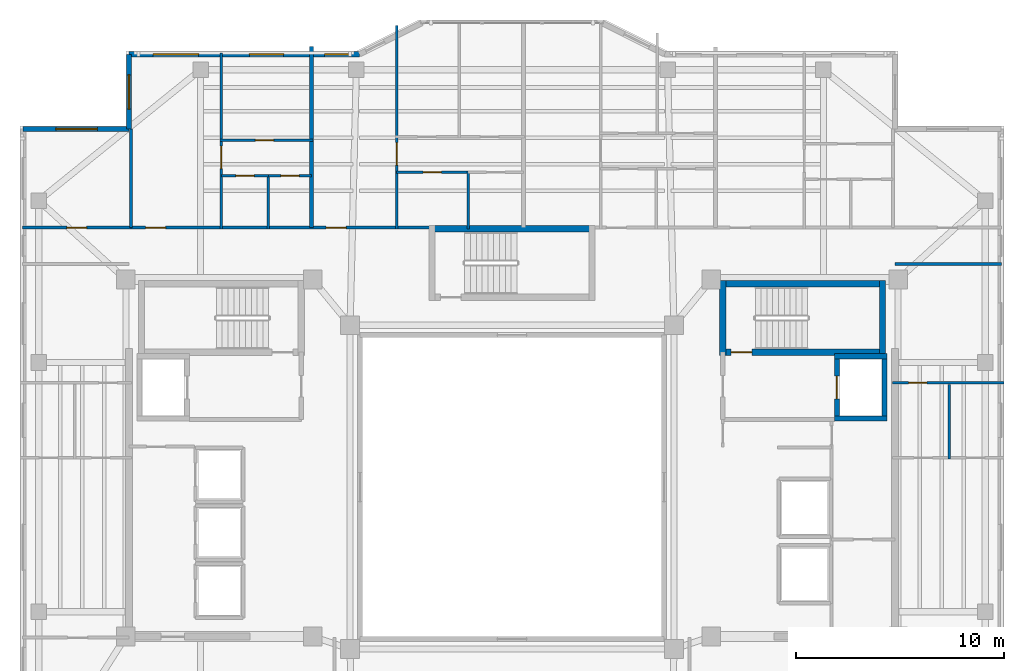
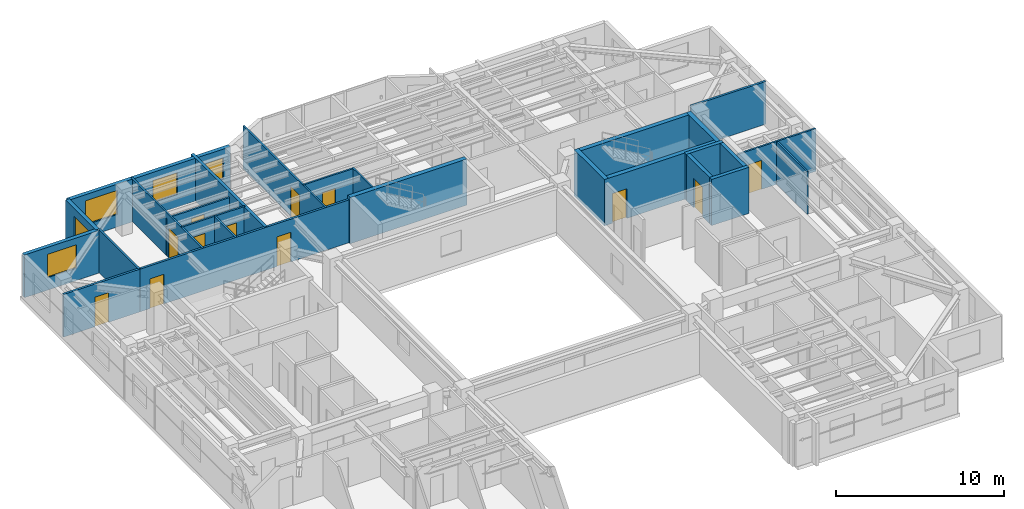
# One storey, part 7 of 12: 27 walls, 12 doors, 5 windows, 17 openings.
"""IFC4 building model written with IfcOpenShell, lengths in metres."""

import ifcopenshell
import ifcopenshell.guid

model = None  # the IFC model being written
_history = None  # IfcOwnerHistory: only IFC2X3 demands one
_inside = {}  # id of a spatial element -> (the spatial element, [elements in it])
_under = {}  # id of a project, library or spatial element -> (it, [spatial elements below it])
_declared = {}  # id of a project -> (the project, [libraries it declares])
_typed = {}  # id of a type object -> (the type object, [elements of that type])
_made_of = {}  # id of a material, layer set ... -> (it, [elements and type objects made of it])


def new_model(schema):
    """Start an empty IFC model of exactly this schema.

    Asked for "IFC4X3", IfcOpenShell would pick the latest addendum, in which some entities
    have other attributes; the version numbers below select the first issue.
    IFC2X3 requires an IfcOwnerHistory on every rooted entity: one is made here for all.
    """
    global model, _history
    if schema == "IFC4X3":
        model = ifcopenshell.file(schema_version=(4, 3, 0, 0))
    else:
        model = ifcopenshell.file(schema=schema)
    _inside.clear()
    _under.clear()
    _declared.clear()
    _typed.clear()
    _made_of.clear()
    _history = None
    if model.schema == "IFC2X3":
        org = make("IfcOrganization", Name="unknown")
        user = make(
            "IfcPersonAndOrganization",
            ThePerson=make("IfcPerson", FamilyName="unknown"),
            TheOrganization=org,
        )
        app = make(
            "IfcApplication",
            ApplicationDeveloper=org,
            Version="unknown",
            ApplicationFullName="unknown",
            ApplicationIdentifier="unknown",
        )
        _history = make(
            "IfcOwnerHistory",
            OwningUser=user,
            OwningApplication=app,
            ChangeAction="ADDED",
            CreationDate=0,
        )
    return model


def make(cls, **values):
    """One entity of the class cls with the attributes given. An attribute that is None is left unset."""
    return model.create_entity(
        cls, **{name: value for name, value in values.items() if value is not None}
    )


def rooted(cls, **values):
    """An entity with a GlobalId (a new one), such as an element, a storey or a relation."""
    return make(cls, GlobalId=ifcopenshell.guid.new(), OwnerHistory=_history, **values)


def si_unit(unit_type, name, prefix=None):
    """IfcSIUnit, for example si_unit("LENGTHUNIT", "METRE", prefix="MILLI")."""
    return make("IfcSIUnit", UnitType=unit_type, Prefix=prefix, Name=name)


def assignment(units):
    """IfcUnitAssignment: the units of a project."""
    return None if units is None else make("IfcUnitAssignment", Units=units)


def point(xyz):
    """IfcCartesianPoint."""
    return None if xyz is None else make("IfcCartesianPoint", Coordinates=xyz)


def direction(xyz):
    """IfcDirection."""
    return None if xyz is None else make("IfcDirection", DirectionRatios=xyz)


def frame(location, z_axis=None, x_axis=None):
    """IfcAxis2Placement3D, a coordinate frame: its origin and axes. An axis left out is left unset."""
    return make(
        "IfcAxis2Placement3D",
        Location=point(location),
        Axis=direction(z_axis),
        RefDirection=direction(x_axis),
    )


def frame_2d(location, x_axis=None):
    """IfcAxis2Placement2D, a coordinate frame in the plane: its origin and x axis."""
    return make(
        "IfcAxis2Placement2D", Location=point(location), RefDirection=direction(x_axis)
    )


def origin():
    """The frame at (0, 0, 0) with its axes left unset."""
    return frame((0.0, 0.0, 0.0))


def place(relative_to, where):
    """IfcLocalPlacement: puts the frame where relative to a parent placement (None: the world)."""
    return make(
        "IfcLocalPlacement", PlacementRelTo=relative_to, RelativePlacement=where
    )


def context(
    kind, dimensions, precision=None, world=None, true_north=None, identifier=None
):
    """IfcGeometricRepresentationContext, for example the 3D "Model" context."""
    return make(
        "IfcGeometricRepresentationContext",
        ContextIdentifier=identifier,
        ContextType=kind,
        CoordinateSpaceDimension=dimensions,
        Precision=precision,
        WorldCoordinateSystem=world,
        TrueNorth=true_north,
    )


def subcontext(parent, identifier, kind, view, scale=None):
    """IfcGeometricRepresentationSubContext, for example "Body" below "Model"."""
    return make(
        "IfcGeometricRepresentationSubContext",
        ContextIdentifier=identifier,
        ContextType=kind,
        ParentContext=parent,
        TargetScale=scale,
        TargetView=view,
    )


def project(units=None, contexts=None):
    """IfcProject with its units and contexts."""
    return rooted(
        "IfcProject",
        Name="project",
        RepresentationContexts=contexts,
        UnitsInContext=assignment(units),
    )


def spatial(cls, under=None, at=None, **own):
    """A site, building, storey or space (cls), placed at a placement, below another one or the project."""
    s = rooted(cls, ObjectPlacement=at, **own)
    if under is not None:
        _under.setdefault(under.id(), (under, []))[1].append(s)
    return s


def profile(cls, at=None, kind="AREA", **sizes):
    """A parametric profile (cls). Its sizes go by their IFC names, for example OverallWidth=200.0."""
    return make(cls, ProfileType=kind, Position=at, **sizes)


def rectangle(**sizes):
    """IfcRectangleProfileDef."""
    return profile("IfcRectangleProfileDef", **sizes)


def extrude(swept, where, along, depth):
    """IfcExtrudedAreaSolid: the profile swept, set in the frame where, extruded along a direction by depth."""
    return make(
        "IfcExtrudedAreaSolid",
        SweptArea=swept,
        Position=where,
        ExtrudedDirection=direction(along),
        Depth=depth,
    )


def shape(context_of_items, identifier, shape_type, items):
    """IfcShapeRepresentation: the items that make up one representation, for example the "Body"."""
    return make(
        "IfcShapeRepresentation",
        ContextOfItems=context_of_items,
        RepresentationIdentifier=identifier,
        RepresentationType=shape_type,
        Items=items,
    )


def material(Name=None, Category=None):
    """IfcMaterial."""
    return make("IfcMaterial", Name=Name, Category=Category)


def layer(
    of_material, thickness, ventilated=None, Name=None, Category=None, Priority=None
):
    """IfcMaterialLayer: one layer of a wall or slab, of a material (None: an air gap)."""
    return make(
        "IfcMaterialLayer",
        Material=of_material,
        LayerThickness=thickness,
        IsVentilated=ventilated,
        Name=Name,
        Category=Category,
        Priority=Priority,
    )


def layer_set(layers, Name=None):
    """IfcMaterialLayerSet."""
    return make("IfcMaterialLayerSet", MaterialLayers=layers, LayerSetName=Name)


def made_of(thing, what):
    """Note that an element or type object is made of a material, layer set ...; save() writes the relation."""
    if what is not None:
        _made_of.setdefault(what.id(), (what, []))[1].append(thing)
    return thing


def type_object(cls, material=None, **own):
    """A type object (cls), such as IfcWallType, which elements share."""
    return made_of(rooted(cls, **own), material)


def element(
    cls,
    number,
    at=None,
    inside=None,
    cuts=None,
    type_object=None,
    material=None,
    context=None,
    identifier="Body",
    shape_type=None,
    held_by="IfcProductDefinitionShape",
    body=None,
    shapes=None,
    **own,
):
    """One element of the class cls, such as IfcWall. Its Tag is "e" and its number.

    at: its placement. inside: the storey or other place that contains it. cuts: it is an
    opening in that element (IfcRelVoidsElement). A single representation is given by context,
    identifier, shape_type and body (its items); several are given by shapes. held_by: the class
    of the entity that holds the representations. save() writes the other relations.
    """
    e = rooted(cls, Tag="e%d" % number, ObjectPlacement=at, **own)
    if body is not None:
        shapes = [shape(context, identifier, shape_type, body)]
    if shapes is not None:
        e.Representation = make(held_by, Representations=shapes)
    if inside is not None:
        _inside.setdefault(inside.id(), (inside, []))[1].append(e)
    if cuts is not None:
        rooted(
            "IfcRelVoidsElement", RelatingBuildingElement=cuts, RelatedOpeningElement=e
        )
    if type_object is not None:
        _typed.setdefault(type_object.id(), (type_object, []))[1].append(e)
    return made_of(e, material)


def fill(opening, filler):
    """IfcRelFillsElement: the door or window that sits in an opening."""
    return rooted(
        "IfcRelFillsElement",
        RelatingOpeningElement=opening,
        RelatedBuildingElement=filler,
    )


def aggregate(whole, parts):
    """IfcRelAggregates: a whole, such as a stair, and the parts it consists of."""
    return rooted("IfcRelAggregates", RelatingObject=whole, RelatedObjects=parts)


def save(model, path):
    """Write the relations noted so far, then the file.

    IfcRelAggregates (storeys below a building ...), IfcRelContainedInSpatialStructure (elements
    in a storey), IfcRelDefinesByType, IfcRelAssociatesMaterial and IfcRelDeclares: one each for
    every whole, place, type object, material and project.
    """
    for whole, parts in _under.values():
        aggregate(whole, parts)
    for where, things in _inside.values():
        rooted(
            "IfcRelContainedInSpatialStructure",
            RelatedElements=things,
            RelatingStructure=where,
        )
    for kind, things in _typed.values():
        rooted("IfcRelDefinesByType", RelatedObjects=things, RelatingType=kind)
    for what, things in _made_of.values():
        rooted("IfcRelAssociatesMaterial", RelatedObjects=things, RelatingMaterial=what)
    for by, libraries in _declared.values():
        rooted("IfcRelDeclares", RelatingContext=by, RelatedDefinitions=libraries)
    model.write(path)


model = new_model("IFC4")

# Units and contexts
model_context = context("Model", 3, precision=1e-05, world=origin(), true_north=direction((0.0, 1.0)))
body_context = subcontext(model_context, "Body", "Model", "MODEL_VIEW")
ifc_project = project(units=[si_unit("LENGTHUNIT", "METRE"), si_unit("AREAUNIT", "SQUARE_METRE"), si_unit("VOLUMEUNIT", "CUBIC_METRE"), si_unit("PLANEANGLEUNIT", "RADIAN"), si_unit("MASSUNIT", "GRAM", prefix="KILO")], contexts=[model_context])

# Site, building, storey
site_placement = place(None, origin())
site = spatial("IfcSite", under=ifc_project, at=site_placement, CompositionType="ELEMENT")
building_placement = place(site_placement, origin())
building = spatial("IfcBuilding", under=site, at=building_placement, Name="Tarnavaz Court Tower", CompositionType="ELEMENT")
storey_placement = place(building_placement, frame((0.0, 0.0, 200.300048828125)))
storey = spatial("IfcBuildingStorey", under=building, at=storey_placement, Name="L54", CompositionType="ELEMENT", Elevation=200.300048828125)

# Wall, opening, door
ifc_material_1 = material(Name="Concrete C50/60", Category="concrete")
ifc_layer_1 = layer(ifc_material_1, 0.25)
ifc_layer_set_1 = layer_set([ifc_layer_1], Name="Concrete C50/60")
wall_type_1 = type_object("IfcWallType", Name="WL-CORE-250-C50", PredefinedType="SHEAR", material=ifc_layer_set_1)
wall_1_placement = place(storey_placement, frame((15.64990234375, 3.175048828125, 0.0), z_axis=(0.0, 0.0, 1.0), x_axis=(0.0, 1.0, 0.0)))
wall_1 = element("IfcWall", 1, at=wall_1_placement, inside=storey, type_object=wall_type_1, Name="L54 Lift FL-E1 Shaft Wall 033", PredefinedType="SHEAR", context=body_context, shape_type="SweptSolid", body=[
    extrude(rectangle(XDim=3.25, YDim=0.25, at=frame_2d((1.625, 0.0))), origin(), (0.0, 0.0, 1.0), 3.349853515625),
])
opening_1_placement = place(wall_1_placement, frame((1.074951171875, 0.0, 0.0)))
opening_1 = element("IfcOpeningElement", 2, at=opening_1_placement, cuts=wall_1, Name="Opening LD1", PredefinedType="OPENING", context=body_context, shape_type="SweptSolid", body=[
    extrude(rectangle(XDim=1.10009765625, YDim=2.14990234375, at=frame_2d((0.550048828125, 1.074951171875))), frame((0.0, 0.135009765625, 0.0), z_axis=(0.0, -1.0, 0.0), x_axis=(1.0, 0.0, 0.0)), (0.0, 0.0, 1.0), 0.27001953125),
])
ifc_material_2 = material(Name="Stainless Steel", Category="steel")
door_type_1 = type_object("IfcDoorType", Name="DR-LD-1100", OperationType="NOTDEFINED", PredefinedType="DOOR", material=ifc_material_2)
door_1_placement = place(opening_1_placement, origin())
door_1 = element("IfcDoor", 3, at=door_1_placement, inside=storey, type_object=door_type_1, Name="L54 Lift Landing Door LD-FL-E1", OperationType="SLIDING_TO_LEFT", OverallHeight=2.14990234375, OverallWidth=1.10009765625, PredefinedType="DOOR", context=body_context, shape_type="SweptSolid", body=[
    extrude(rectangle(XDim=1.10009765625, YDim=2.14990234375, at=frame_2d((0.550048828125, 1.074951171875))), frame((0.0, 0.02490234375, 0.0), z_axis=(0.0, -1.0, 0.0), x_axis=(1.0, 0.0, 0.0)), (0.0, 0.0, 1.0), 0.050048828125),
])
fill(opening_1, door_1)

# Walls
wall_2_placement = place(storey_placement, frame((17.949951171875, 3.175048828125, 0.0), z_axis=(0.0, 0.0, 1.0), x_axis=(0.0, 1.0, 0.0)))
element("IfcWall", 4, at=wall_2_placement, inside=storey, type_object=wall_type_1, Name="L54 Lift FL-E1 Shaft Wall 034", PredefinedType="SHEAR", context=body_context, shape_type="SweptSolid", body=[
    extrude(rectangle(XDim=3.25, YDim=0.25, at=frame_2d((1.625, 0.0))), origin(), (0.0, 0.0, 1.0), 3.349853515625),
])
for number, where, z_axis, x_axis, name in (
    (5, (15.52490234375, 3.300048828125, 0.0), (0.0, 0.0, 1.0), (1.0, 0.0, 0.0), "L54 Lift FL-E1 Shaft Wall 035"),
    (6, (15.52490234375, 6.300048828125, 0.0), (0.0, 0.0, 1.0), (1.0, 0.0, 0.0), "L54 Lift FL-E1 Shaft Wall 036"),
):
    element("IfcWall", number, at=place(storey_placement, frame(where, z_axis=z_axis, x_axis=x_axis)), inside=storey, type_object=wall_type_1, Name=name, PredefinedType="SHEAR", context=body_context, shape_type="SweptSolid", body=[
        extrude(rectangle(XDim=2.550048828125, YDim=0.25, at=frame_2d((1.27490234375, 0.0))), origin(), (0.0, 0.0, 1.0), 3.349853515625),
    ])
ifc_layer_2 = layer(ifc_material_1, 0.300048828125)
ifc_layer_set_2 = layer_set([ifc_layer_2], Name="Concrete C50/60")
wall_type_2 = type_object("IfcWallType", Name="WL-CORE-300-C50", PredefinedType="SHEAR", material=ifc_layer_set_2)
wall_3_placement = place(storey_placement, frame((10.0, 9.7900390625, 0.0), z_axis=(0.0, 0.0, 1.0), x_axis=(1.0, 0.0, 0.0)))
element("IfcWall", 7, at=wall_3_placement, inside=storey, type_object=wall_type_2, Name="L54 East Stair Core Wall 005", PredefinedType="SHEAR", context=body_context, shape_type="SweptSolid", body=[
    extrude(rectangle(XDim=8.0, YDim=0.300048828125, at=frame_2d((4.0, 0.0))), origin(), (0.0, 0.0, 1.0), 3.349853515625),
])

# Wall, opening, door
wall_4_placement = place(storey_placement, frame((10.0, 6.5, 0.0), z_axis=(0.0, 0.0, 1.0), x_axis=(1.0, 0.0, 0.0)))
wall_4 = element("IfcWall", 8, at=wall_4_placement, inside=storey, type_object=wall_type_2, Name="L54 East Stair Core Wall 006", PredefinedType="SHEAR", context=body_context, shape_type="SweptSolid", body=[
    extrude(rectangle(XDim=8.0, YDim=0.300048828125, at=frame_2d((4.0, 0.0))), origin(), (0.0, 0.0, 1.0), 3.349853515625),
])
opening_2_placement = place(wall_4_placement, frame((0.550048828125, 0.0, 0.0)))
opening_2 = element("IfcOpeningElement", 9, at=opening_2_placement, cuts=wall_4, Name="Opening D01", PredefinedType="OPENING", context=body_context, shape_type="SweptSolid", body=[
    extrude(rectangle(XDim=1.0, YDim=2.14990234375, at=frame_2d((0.5, 1.074951171875))), frame((0.0, 0.159912109375, 0.0), z_axis=(0.0, -1.0, 0.0), x_axis=(1.0, 0.0, 0.0)), (0.0, 0.0, 1.0), 0.320068359375),
])
ifc_material_3 = material(Name="Fire-Rated Hardwood Timber Core", Category="wood")
door_type_2 = type_object("IfcDoorType", Name="DR-FD90-1000", OperationType="NOTDEFINED", PredefinedType="DOOR", material=ifc_material_3)
door_2_placement = place(opening_2_placement, origin())
door_2 = element("IfcDoor", 10, at=door_2_placement, inside=storey, type_object=door_type_2, Name="L54 Stair ST-E1 Exit Door", OperationType="SINGLE_SWING_RIGHT", OverallHeight=2.14990234375, OverallWidth=1.0, PredefinedType="DOOR", context=body_context, shape_type="SweptSolid", body=[
    extrude(rectangle(XDim=1.0, YDim=2.14990234375, at=frame_2d((0.5, 1.074951171875))), frame((0.0, 0.02490234375, 0.0), z_axis=(0.0, -1.0, 0.0), x_axis=(1.0, 0.0, 0.0)), (0.0, 0.0, 1.0), 0.050048828125),
])
fill(opening_2, door_2)

# Walls
for number, where, z_axis, x_axis, name in (
    (11, (10.14990234375, 6.35009765625, 0.0), (0.0, 0.0, 1.0), (0.0, 1.0, 0.0), "L54 East Stair Core Wall 007"),
    (12, (17.85009765625, 6.35009765625, 0.0), (0.0, 0.0, 1.0), (0.0, 1.0, 0.0), "L54 East Stair Core Wall 008"),
):
    element("IfcWall", number, at=place(storey_placement, frame(where, z_axis=z_axis, x_axis=x_axis)), inside=storey, type_object=wall_type_2, Name=name, PredefinedType="SHEAR", context=body_context, shape_type="SweptSolid", body=[
        extrude(rectangle(XDim=3.58984375, YDim=0.300048828125, at=frame_2d((1.794921875, 0.0))), origin(), (0.0, 0.0, 1.0), 3.349853515625),
    ])
wall_5_placement = place(storey_placement, frame((-4.0, 12.43994140625, 0.0), z_axis=(0.0, 0.0, 1.0), x_axis=(1.0, 0.0, 0.0)))
element("IfcWall", 13, at=wall_5_placement, inside=storey, type_object=wall_type_2, Name="L54 North Stair Core Wall 009", PredefinedType="SHEAR", context=body_context, shape_type="SweptSolid", body=[
    extrude(rectangle(XDim=8.0, YDim=0.300048828125, at=frame_2d((4.0, 0.0))), origin(), (0.0, 0.0, 1.0), 3.349853515625),
])

# Wall, opening, window
ifc_material_4 = material(Name="Precast Concrete C40/50", Category="concrete")
ifc_layer_3 = layer(ifc_material_4, 0.260009765625)
ifc_layer_set_3 = layer_set([ifc_layer_3], Name="Precast Concrete C40/50")
wall_type_3 = type_object("IfcWallType", Name="WL-EXT-260", PredefinedType="SOLIDWALL", material=ifc_layer_set_3)
wall_6_placement = place(storey_placement, frame((-23.550048828125, 17.25, 0.0), z_axis=(0.0, 0.0, 1.0), x_axis=(1.0, 0.0, 0.0)))
wall_6 = element("IfcWall", 14, at=wall_6_placement, inside=storey, type_object=wall_type_3, Name="L54 Exterior Terracotta Facade Wall 03", PredefinedType="SOLIDWALL", context=body_context, shape_type="SweptSolid", body=[
    extrude(rectangle(XDim=5.10009765625, YDim=0.260009765625, at=frame_2d((2.550048828125, 0.0))), origin(), (0.0, 0.0, 1.0), 3.099853515625),
])
opening_3_placement = place(wall_6_placement, frame((1.574951171875, 0.0, 0.89990234375)))
opening_3 = element("IfcOpeningElement", 15, at=opening_3_placement, cuts=wall_6, Name="Opening W08", PredefinedType="OPENING", context=body_context, shape_type="SweptSolid", body=[
    extrude(rectangle(XDim=2.0, YDim=1.699951171875, at=frame_2d((1.0, 0.85009765625))), frame((0.0, 0.139892578125, 0.0), z_axis=(0.0, -1.0, 0.0), x_axis=(1.0, 0.0, 0.0)), (0.0, 0.0, 1.0), 0.280029296875),
])
ifc_material_5 = material(Name="Double-Glazed Solar Low-E Glass", Category="glass")
window_type_1 = type_object("IfcWindowType", Name="WN-APT-2000", PartitioningType="DOUBLE_PANEL_VERTICAL", PredefinedType="WINDOW", material=ifc_material_5)
window_1_placement = place(opening_3_placement, origin())
window_1 = element("IfcWindow", 16, at=window_1_placement, inside=storey, type_object=window_type_1, Name="L54 North-West Corner Sunroom Study Window", OverallHeight=1.699951171875, OverallWidth=2.0, PartitioningType="SINGLE_PANEL", PredefinedType="WINDOW", context=body_context, shape_type="SweptSolid", body=[
    extrude(rectangle(XDim=2.0, YDim=1.699951171875, at=frame_2d((1.0, 0.85009765625))), frame((0.0, 0.030029296875, 0.0), z_axis=(0.0, -1.0, 0.0), x_axis=(1.0, 0.0, 0.0)), (0.0, 0.0, 1.0), 0.06005859375),
])
fill(opening_3, window_1)

wall_7_placement = place(storey_placement, frame((-18.449951171875, 17.25, 0.0), z_axis=(0.0, 0.0, 1.0), x_axis=(0.0, 1.0, 0.0)))
wall_7 = element("IfcWall", 17, at=wall_7_placement, inside=storey, type_object=wall_type_3, Name="L54 Exterior Terracotta Facade Wall 04", PredefinedType="SOLIDWALL", context=body_context, shape_type="SweptSolid", body=[
    extrude(rectangle(XDim=3.60009765625, YDim=0.260009765625, at=frame_2d((1.800048828125, 0.0))), origin(), (0.0, 0.0, 1.0), 3.099853515625),
])
opening_4_placement = place(wall_7_placement, frame((0.95751953125, 0.0, 0.89990234375)))
opening_4 = element("IfcOpeningElement", 18, at=opening_4_placement, cuts=wall_7, Name="Opening W02", PredefinedType="OPENING", context=body_context, shape_type="SweptSolid", body=[
    extrude(rectangle(XDim=1.64990234375, YDim=1.60009765625, at=frame_2d((0.824951171875, 0.800048828125))), frame((0.0, 0.139892578125, 0.0), z_axis=(0.0, -1.0, 0.0), x_axis=(1.0, 0.0, 0.0)), (0.0, 0.0, 1.0), 0.280029296875),
])
window_type_2 = type_object("IfcWindowType", Name="WN-APT-1650", PartitioningType="DOUBLE_PANEL_VERTICAL", PredefinedType="WINDOW", material=ifc_material_5)
window_2_placement = place(opening_4_placement, origin())
window_2 = element("IfcWindow", 19, at=window_2_placement, inside=storey, type_object=window_type_2, Name="L54 Flat 01 Living and Dining Room Window", OverallHeight=1.60009765625, OverallWidth=1.64990234375, PartitioningType="SINGLE_PANEL", PredefinedType="WINDOW", context=body_context, shape_type="SweptSolid", body=[
    extrude(rectangle(XDim=1.64990234375, YDim=1.60009765625, at=frame_2d((0.824951171875, 0.800048828125))), frame((0.0, 0.030029296875, 0.0), z_axis=(0.0, -1.0, 0.0), x_axis=(1.0, 0.0, 0.0)), (0.0, 0.0, 1.0), 0.06005859375),
])
fill(opening_4, window_2)

# Wall, openings, windows
wall_8_placement = place(storey_placement, frame((-18.449951171875, 20.85009765625, 0.0), z_axis=(0.0, 0.0, 1.0), x_axis=(1.0, 0.0, 0.0)))
wall_8 = element("IfcWall", 20, at=wall_8_placement, inside=storey, type_object=wall_type_3, Name="L54 Exterior Terracotta Facade Wall 05", PredefinedType="SOLIDWALL", context=body_context, shape_type="SweptSolid", body=[
    extrude(rectangle(XDim=11.099853515625, YDim=0.260009765625, at=frame_2d((5.5498046875, 0.0))), origin(), (0.0, 0.0, 1.0), 3.099853515625),
])
opening_5_placement = place(wall_8_placement, frame((1.16015625, 0.0, 0.89990234375)))
opening_5 = element("IfcOpeningElement", 21, at=opening_5_placement, cuts=wall_8, Name="Opening W07", PredefinedType="OPENING", context=body_context, shape_type="SweptSolid", body=[
    extrude(rectangle(XDim=2.199951171875, YDim=1.75, at=frame_2d((1.10009765625, 0.875))), frame((0.0, 0.139892578125, 0.0), z_axis=(0.0, -1.0, 0.0), x_axis=(1.0, 0.0, 0.0)), (0.0, 0.0, 1.0), 0.280029296875),
])
opening_6_placement = place(wall_8_placement, frame((5.804931640625, 0.0, 0.89990234375)))
opening_6 = element("IfcOpeningElement", 22, at=opening_6_placement, cuts=wall_8, Name="Opening W02", PredefinedType="OPENING", context=body_context, shape_type="SweptSolid", body=[
    extrude(rectangle(XDim=1.64990234375, YDim=1.60009765625, at=frame_2d((0.824951171875, 0.800048828125))), frame((0.0, 0.139892578125, 0.0), z_axis=(0.0, -1.0, 0.0), x_axis=(1.0, 0.0, 0.0)), (0.0, 0.0, 1.0), 0.280029296875),
])
opening_7_placement = place(wall_8_placement, frame((9.420166015625, 0.0, 0.949951171875)))
opening_7 = element("IfcOpeningElement", 23, at=opening_7_placement, cuts=wall_8, Name="Opening W05", PredefinedType="OPENING", context=body_context, shape_type="SweptSolid", body=[
    extrude(rectangle(XDim=1.199951171875, YDim=1.5, at=frame_2d((0.60009765625, 0.75))), frame((0.0, 0.139892578125, 0.0), z_axis=(0.0, -1.0, 0.0), x_axis=(1.0, 0.0, 0.0)), (0.0, 0.0, 1.0), 0.280029296875),
])
window_type_3 = type_object("IfcWindowType", Name="WN-APT-1200", PartitioningType="SINGLE_PANEL", PredefinedType="WINDOW", material=ifc_material_5)
window_3_placement = place(opening_7_placement, origin())
window_3 = element("IfcWindow", 24, at=window_3_placement, inside=storey, type_object=window_type_3, Name="L54 Flat 02 Living and Dining Room Window", OverallHeight=1.5, OverallWidth=1.199951171875, PartitioningType="SINGLE_PANEL", PredefinedType="WINDOW", context=body_context, shape_type="SweptSolid", body=[
    extrude(rectangle(XDim=1.199951171875, YDim=1.5, at=frame_2d((0.60009765625, 0.75))), frame((0.0, 0.030029296875, 0.0), z_axis=(0.0, -1.0, 0.0), x_axis=(1.0, 0.0, 0.0)), (0.0, 0.0, 1.0), 0.06005859375),
])
fill(opening_7, window_3)
window_4_placement = place(opening_6_placement, origin())
window_4 = element("IfcWindow", 25, at=window_4_placement, inside=storey, type_object=window_type_2, Name="L54 Flat 01 Bedroom 1 Window", OverallHeight=1.60009765625, OverallWidth=1.64990234375, PartitioningType="SINGLE_PANEL", PredefinedType="WINDOW", context=body_context, shape_type="SweptSolid", body=[
    extrude(rectangle(XDim=1.64990234375, YDim=1.60009765625, at=frame_2d((0.824951171875, 0.800048828125))), frame((0.0, 0.030029296875, 0.0), z_axis=(0.0, -1.0, 0.0), x_axis=(1.0, 0.0, 0.0)), (0.0, 0.0, 1.0), 0.06005859375),
])
fill(opening_6, window_4)
window_type_4 = type_object("IfcWindowType", Name="WN-APT-2200", PartitioningType="TRIPLE_PANEL_VERTICAL", PredefinedType="WINDOW", material=ifc_material_5)
window_5_placement = place(opening_5_placement, origin())
window_5 = element("IfcWindow", 26, at=window_5_placement, inside=storey, type_object=window_type_4, Name="L54 Flat 01 Living and Dining Room Window", OverallHeight=1.75, OverallWidth=2.199951171875, PartitioningType="SINGLE_PANEL", PredefinedType="WINDOW", context=body_context, shape_type="SweptSolid", body=[
    extrude(rectangle(XDim=2.199951171875, YDim=1.75, at=frame_2d((1.10009765625, 0.875))), frame((0.0, 0.030029296875, 0.0), z_axis=(0.0, -1.0, 0.0), x_axis=(1.0, 0.0, 0.0)), (0.0, 0.0, 1.0), 0.06005859375),
])
fill(opening_5, window_5)

# Wall, openings, doors
ifc_material_6 = material(Name="Gypsum Fire-Board on Acoustic Metal Stud", Category="masonry")
ifc_layer_4 = layer(ifc_material_6, 0.14990234375)
ifc_layer_set_4 = layer_set([ifc_layer_4], Name="Gypsum Fire-Board on Acoustic Metal Stud")
wall_type_4 = type_object("IfcWallType", Name="WL-FIRE-150", PredefinedType="PARTITIONING", material=ifc_layer_set_4)
wall_9_placement = place(storey_placement, frame((-18.35009765625, 12.5, 0.0), z_axis=(0.0, 0.0, 1.0), x_axis=(1.0, 0.0, 0.0)))
wall_9 = element("IfcWall", 27, at=wall_9_placement, inside=storey, type_object=wall_type_4, Name="L54 NW Wing Corridor Wall 054", PredefinedType="PARTITIONING", context=body_context, shape_type="SweptSolid", body=[
    extrude(rectangle(XDim=14.5, YDim=0.14990234375, at=frame_2d((7.25, 0.0))), origin(), (0.0, 0.0, 1.0), 3.099853515625),
])
opening_8_placement = place(wall_9_placement, frame((0.699951171875, 0.0, 0.0)))
opening_8 = element("IfcOpeningElement", 28, at=opening_8_placement, cuts=wall_9, Name="Opening D06", PredefinedType="OPENING", context=body_context, shape_type="SweptSolid", body=[
    extrude(rectangle(XDim=0.9599609375, YDim=2.14990234375, at=frame_2d((0.47998046875, 1.074951171875))), frame((0.0, 0.0849609375, 0.0), z_axis=(0.0, -1.0, 0.0), x_axis=(1.0, 0.0, 0.0)), (0.0, 0.0, 1.0), 0.169921875),
])
opening_9_placement = place(wall_9_placement, frame((9.39404296875, 0.0, 0.0)))
opening_9 = element("IfcOpeningElement", 29, at=opening_9_placement, cuts=wall_9, Name="Opening D06", PredefinedType="OPENING", context=body_context, shape_type="SweptSolid", body=[
    extrude(rectangle(XDim=0.9599609375, YDim=2.14990234375, at=frame_2d((0.47998046875, 1.074951171875))), frame((0.0, 0.0849609375, 0.0), z_axis=(0.0, -1.0, 0.0), x_axis=(1.0, 0.0, 0.0)), (0.0, 0.0, 1.0), 0.169921875),
])
door_type_3 = type_object("IfcDoorType", Name="DR-FD60-950", OperationType="NOTDEFINED", PredefinedType="DOOR", material=ifc_material_3)
door_3_placement = place(opening_8_placement, origin())
door_3 = element("IfcDoor", 30, at=door_3_placement, inside=storey, type_object=door_type_3, Name="L54 Flat 01 Entrance Door", OperationType="SINGLE_SWING_RIGHT", OverallHeight=2.14990234375, OverallWidth=0.9599609375, PredefinedType="DOOR", context=body_context, shape_type="SweptSolid", body=[
    extrude(rectangle(XDim=0.9599609375, YDim=2.14990234375, at=frame_2d((0.47998046875, 1.074951171875))), frame((0.0, 0.02490234375, 0.0), z_axis=(0.0, -1.0, 0.0), x_axis=(1.0, 0.0, 0.0)), (0.0, 0.0, 1.0), 0.050048828125),
])
fill(opening_8, door_3)
door_4_placement = place(opening_9_placement, origin())
door_4 = element("IfcDoor", 31, at=door_4_placement, inside=storey, type_object=door_type_3, Name="L54 Flat 02 Entrance Door", OperationType="SINGLE_SWING_LEFT", OverallHeight=2.14990234375, OverallWidth=0.9599609375, PredefinedType="DOOR", context=body_context, shape_type="SweptSolid", body=[
    extrude(rectangle(XDim=0.9599609375, YDim=2.14990234375, at=frame_2d((0.47998046875, 1.074951171875))), frame((0.0, 0.02490234375, 0.0), z_axis=(0.0, -1.0, 0.0), x_axis=(1.0, 0.0, 0.0)), (0.0, 0.0, 1.0), 0.050048828125),
])
fill(opening_9, door_4)

# Wall
wall_10_placement = place(storey_placement, frame((18.449951171875, 10.75, 0.0), z_axis=(0.0, 0.0, 1.0), x_axis=(1.0, 0.0, 0.0)))
element("IfcWall", 32, at=wall_10_placement, inside=storey, type_object=wall_type_4, Name="L54 Interior Partition 102", PredefinedType="PARTITIONING", context=body_context, shape_type="SweptSolid", body=[
    extrude(rectangle(XDim=5.130126953125, YDim=0.14990234375, at=frame_2d((2.56494140625, 0.0))), origin(), (0.0, 0.0, 1.0), 3.099853515625),
])

# Wall, opening, door
wall_11_placement = place(storey_placement, frame((-23.580078125, 12.5, 0.0), z_axis=(0.0, 0.0, 1.0), x_axis=(1.0, 0.0, 0.0)))
wall_11 = element("IfcWall", 33, at=wall_11_placement, inside=storey, type_object=wall_type_4, Name="L54 Interior Partition 107", PredefinedType="PARTITIONING", context=body_context, shape_type="SweptSolid", body=[
    extrude(rectangle(XDim=5.22998046875, YDim=0.14990234375, at=frame_2d((2.614990234375, 0.0))), origin(), (0.0, 0.0, 1.0), 3.099853515625),
])
opening_10_placement = place(wall_11_placement, frame((2.139892578125, 0.0, 0.0)))
opening_10 = element("IfcOpeningElement", 34, at=opening_10_placement, cuts=wall_11, Name="Opening D13", PredefinedType="OPENING", context=body_context, shape_type="SweptSolid", body=[
    extrude(rectangle(XDim=0.949951171875, YDim=2.14990234375, at=frame_2d((0.47509765625, 1.074951171875))), frame((0.0, 0.0849609375, 0.0), z_axis=(0.0, -1.0, 0.0), x_axis=(1.0, 0.0, 0.0)), (0.0, 0.0, 1.0), 0.169921875),
])
ifc_material_7 = material(Name="Engineered Oak Timber", Category="wood")
door_type_4 = type_object("IfcDoorType", Name="DR-INT-950", OperationType="NOTDEFINED", PredefinedType="DOOR", material=ifc_material_7)
door_5_placement = place(opening_10_placement, origin())
door_5 = element("IfcDoor", 35, at=door_5_placement, inside=storey, type_object=door_type_4, Name="L54 NW Sunroom Door", OperationType="SINGLE_SWING_RIGHT", OverallHeight=2.14990234375, OverallWidth=0.949951171875, PredefinedType="DOOR", context=body_context, shape_type="SweptSolid", body=[
    extrude(rectangle(XDim=0.949951171875, YDim=2.14990234375, at=frame_2d((0.47509765625, 1.074951171875))), frame((0.0, 0.02490234375, 0.0), z_axis=(0.0, -1.0, 0.0), x_axis=(1.0, 0.0, 0.0)), (0.0, 0.0, 1.0), 0.050048828125),
])
fill(opening_10, door_5)

# Wall
ifc_material_8 = material(Name="Autoclaved Aerated Concrete Blockwork", Category="masonry")
ifc_layer_5 = layer(ifc_material_8, 0.199951171875)
ifc_layer_set_5 = layer_set([ifc_layer_5], Name="Autoclaved Aerated Concrete Blockwork")
wall_type_5 = type_object("IfcWallType", Name="WL-FIRE-200", PredefinedType="SOLIDWALL", material=ifc_layer_set_5)
wall_12_placement = place(storey_placement, frame((-9.656005859375, 12.5, 0.0), z_axis=(0.0, 0.0, 1.0), x_axis=(0.0, 1.0, 0.0)))
element("IfcWall", 36, at=wall_12_placement, inside=storey, type_object=wall_type_5, Name="L54 Party Wall 061", PredefinedType="SOLIDWALL", context=body_context, shape_type="SweptSolid", body=[
    extrude(rectangle(XDim=8.73193359375, YDim=0.199951171875, at=frame_2d((4.365966796875, 0.0))), origin(), (0.0, 0.0, 1.0), 3.099853515625),
])

# Wall, opening, door
ifc_material_9 = material(Name="Moisture-Resistant Gypsum Board Partition", Category="masonry")
ifc_layer_6 = layer(ifc_material_9, 0.1201171875)
ifc_layer_set_6 = layer_set([ifc_layer_6], Name="Moisture-Resistant Gypsum Board Partition")
wall_type_6 = type_object("IfcWallType", Name="WL-PART-120", PredefinedType="PARTITIONING", material=ifc_layer_set_6)
wall_13_placement = place(storey_placement, frame((-14.0029296875, 12.43994140625, 0.0), z_axis=(0.0, 0.0, 1.0), x_axis=(0.0, 1.0, 0.0)))
wall_13 = element("IfcWall", 37, at=wall_13_placement, inside=storey, type_object=wall_type_6, Name="L54 Interior Partition 062", PredefinedType="PARTITIONING", context=body_context, shape_type="SweptSolid", body=[
    extrude(rectangle(XDim=8.4599609375, YDim=0.1201171875, at=frame_2d((4.22998046875, 0.0))), origin(), (0.0, 0.0, 1.0), 3.099853515625),
])
opening_11_placement = place(wall_13_placement, frame((2.905029296875, 0.0, 0.0)))
opening_11 = element("IfcOpeningElement", 38, at=opening_11_placement, cuts=wall_13, Name="Opening D12", PredefinedType="OPENING", context=body_context, shape_type="SweptSolid", body=[
    extrude(rectangle(XDim=1.080078125, YDim=2.14990234375, at=frame_2d((0.5400390625, 1.074951171875))), frame((0.0, 0.070068359375, 0.0), z_axis=(0.0, -1.0, 0.0), x_axis=(1.0, 0.0, 0.0)), (0.0, 0.0, 1.0), 0.14013671875),
])
door_type_5 = type_object("IfcDoorType", Name="DR-INT-1100", OperationType="NOTDEFINED", PredefinedType="DOOR", material=ifc_material_7)
door_6_placement = place(opening_11_placement, origin())
door_6 = element("IfcDoor", 39, at=door_6_placement, inside=storey, type_object=door_type_5, Name="L54 Flat 01 Foyer Door", OperationType="SINGLE_SWING_LEFT", OverallHeight=2.14990234375, OverallWidth=1.080078125, PredefinedType="DOOR", context=body_context, shape_type="SweptSolid", body=[
    extrude(rectangle(XDim=1.080078125, YDim=2.14990234375, at=frame_2d((0.5400390625, 1.074951171875))), frame((0.0, 0.02490234375, 0.0), z_axis=(0.0, -1.0, 0.0), x_axis=(1.0, 0.0, 0.0)), (0.0, 0.0, 1.0), 0.050048828125),
])
fill(opening_11, door_6)

wall_14_placement = place(storey_placement, frame((-14.0029296875, 15.0, 0.0), z_axis=(0.0, 0.0, 1.0), x_axis=(1.0, 0.0, 0.0)))
wall_14 = element("IfcWall", 40, at=wall_14_placement, inside=storey, type_object=wall_type_6, Name="L54 Interior Partition 063", PredefinedType="PARTITIONING", context=body_context, shape_type="SweptSolid", body=[
    extrude(rectangle(XDim=2.27197265625, YDim=0.1201171875, at=frame_2d((1.135986328125, 0.0))), origin(), (0.0, 0.0, 1.0), 3.099853515625),
])
opening_12_placement = place(wall_14_placement, frame((0.696044921875, 0.0, 0.0)))
opening_12 = element("IfcOpeningElement", 41, at=opening_12_placement, cuts=wall_14, Name="Opening D14", PredefinedType="OPENING", context=body_context, shape_type="SweptSolid", body=[
    extrude(rectangle(XDim=0.8798828125, YDim=2.10009765625, at=frame_2d((0.43994140625, 1.050048828125))), frame((0.0, 0.070068359375, 0.0), z_axis=(0.0, -1.0, 0.0), x_axis=(1.0, 0.0, 0.0)), (0.0, 0.0, 1.0), 0.14013671875),
])
door_type_6 = type_object("IfcDoorType", Name="DR-INT-900", OperationType="NOTDEFINED", PredefinedType="DOOR", material=ifc_material_7)
door_7_placement = place(opening_12_placement, origin())
door_7 = element("IfcDoor", 42, at=door_7_placement, inside=storey, type_object=door_type_6, Name="L54 Flat 01 Kitchen Door", OperationType="SINGLE_SWING_RIGHT", OverallHeight=2.10009765625, OverallWidth=0.8798828125, PredefinedType="DOOR", context=body_context, shape_type="SweptSolid", body=[
    extrude(rectangle(XDim=0.8798828125, YDim=2.10009765625, at=frame_2d((0.43994140625, 1.050048828125))), frame((0.0, 0.02490234375, 0.0), z_axis=(0.0, -1.0, 0.0), x_axis=(1.0, 0.0, 0.0)), (0.0, 0.0, 1.0), 0.050048828125),
])
fill(opening_12, door_7)

wall_15_placement = place(storey_placement, frame((-11.73095703125, 15.0, 0.0), z_axis=(0.0, 0.0, 1.0), x_axis=(1.0, 0.0, 0.0)))
wall_15 = element("IfcWall", 43, at=wall_15_placement, inside=storey, type_object=wall_type_6, Name="L54 Interior Partition 064", PredefinedType="PARTITIONING", context=body_context, shape_type="SweptSolid", body=[
    extrude(rectangle(XDim=2.074951171875, YDim=0.1201171875, at=frame_2d((1.03759765625, 0.0))), origin(), (0.0, 0.0, 1.0), 3.099853515625),
])
opening_13_placement = place(wall_15_placement, frame((0.596923828125, 0.0, 0.0)))
opening_13 = element("IfcOpeningElement", 44, at=opening_13_placement, cuts=wall_15, Name="Opening D14", PredefinedType="OPENING", context=body_context, shape_type="SweptSolid", body=[
    extrude(rectangle(XDim=0.8798828125, YDim=2.10009765625, at=frame_2d((0.43994140625, 1.050048828125))), frame((0.0, 0.070068359375, 0.0), z_axis=(0.0, -1.0, 0.0), x_axis=(1.0, 0.0, 0.0)), (0.0, 0.0, 1.0), 0.14013671875),
])
door_8_placement = place(opening_13_placement, origin())
door_8 = element("IfcDoor", 45, at=door_8_placement, inside=storey, type_object=door_type_6, Name="L54 Flat 01 Bathroom Door", OperationType="SINGLE_SWING_LEFT", OverallHeight=2.10009765625, OverallWidth=0.8798828125, PredefinedType="DOOR", context=body_context, shape_type="SweptSolid", body=[
    extrude(rectangle(XDim=0.8798828125, YDim=2.10009765625, at=frame_2d((0.43994140625, 1.050048828125))), frame((0.0, 0.02490234375, 0.0), z_axis=(0.0, -1.0, 0.0), x_axis=(1.0, 0.0, 0.0)), (0.0, 0.0, 1.0), 0.050048828125),
])
fill(opening_13, door_8)

wall_16_placement = place(storey_placement, frame((-14.06298828125, 16.7099609375, 0.0), z_axis=(0.0, 0.0, 1.0), x_axis=(1.0, 0.0, 0.0)))
wall_16 = element("IfcWall", 46, at=wall_16_placement, inside=storey, type_object=wall_type_6, Name="L54 Interior Partition 065", PredefinedType="PARTITIONING", context=body_context, shape_type="SweptSolid", body=[
    extrude(rectangle(XDim=4.467041015625, YDim=0.1201171875, at=frame_2d((2.2333984375, 0.0))), origin(), (0.0, 0.0, 1.0), 2.724853515625),
])
opening_14_placement = place(wall_16_placement, frame((1.702880859375, 0.0, 0.0)))
opening_14 = element("IfcOpeningElement", 47, at=opening_14_placement, cuts=wall_16, Name="Opening D14", PredefinedType="OPENING", context=body_context, shape_type="SweptSolid", body=[
    extrude(rectangle(XDim=0.8798828125, YDim=2.10009765625, at=frame_2d((0.43994140625, 1.050048828125))), frame((0.0, 0.070068359375, 0.0), z_axis=(0.0, -1.0, 0.0), x_axis=(1.0, 0.0, 0.0)), (0.0, 0.0, 1.0), 0.14013671875),
])
door_9_placement = place(opening_14_placement, origin())
door_9 = element("IfcDoor", 48, at=door_9_placement, inside=storey, type_object=door_type_6, Name="L54 Flat 01 Bedroom 1 Door", OperationType="SINGLE_SWING_RIGHT", OverallHeight=2.10009765625, OverallWidth=0.8798828125, PredefinedType="DOOR", context=body_context, shape_type="SweptSolid", body=[
    extrude(rectangle(XDim=0.8798828125, YDim=2.10009765625, at=frame_2d((0.43994140625, 1.050048828125))), frame((0.0, 0.02490234375, 0.0), z_axis=(0.0, -1.0, 0.0), x_axis=(1.0, 0.0, 0.0)), (0.0, 0.0, 1.0), 0.050048828125),
])
fill(opening_14, door_9)

# Wall
wall_17_placement = place(storey_placement, frame((-11.73095703125, 12.43994140625, 0.0), z_axis=(0.0, 0.0, 1.0), x_axis=(0.0, 1.0, 0.0)))
element("IfcWall", 49, at=wall_17_placement, inside=storey, type_object=wall_type_6, Name="L54 Interior Partition 066", PredefinedType="PARTITIONING", context=body_context, shape_type="SweptSolid", body=[
    extrude(rectangle(XDim=2.6201171875, YDim=0.1201171875, at=frame_2d((1.31005859375, 0.0))), origin(), (0.0, 0.0, 1.0), 3.099853515625),
])

# Wall, opening, door
wall_18_placement = place(storey_placement, frame((-5.56201171875, 12.43994140625, 0.0), z_axis=(0.0, 0.0, 1.0), x_axis=(0.0, 1.0, 0.0)))
wall_18 = element("IfcWall", 50, at=wall_18_placement, inside=storey, type_object=wall_type_6, Name="L54 Interior Partition 067", PredefinedType="PARTITIONING", context=body_context, shape_type="SweptSolid", body=[
    extrude(rectangle(XDim=9.801025390625, YDim=0.1201171875, at=frame_2d((4.900390625, 0.0))), origin(), (0.0, 0.0, 1.0), 3.099853515625),
])
opening_15_placement = place(wall_18_placement, frame((3.074951171875, 0.0, 0.0)))
opening_15 = element("IfcOpeningElement", 51, at=opening_15_placement, cuts=wall_18, Name="Opening D12", PredefinedType="OPENING", context=body_context, shape_type="SweptSolid", body=[
    extrude(rectangle(XDim=1.080078125, YDim=2.14990234375, at=frame_2d((0.5400390625, 1.074951171875))), frame((0.0, 0.070068359375, 0.0), z_axis=(0.0, -1.0, 0.0), x_axis=(1.0, 0.0, 0.0)), (0.0, 0.0, 1.0), 0.14013671875),
])
door_10_placement = place(opening_15_placement, origin())
door_10 = element("IfcDoor", 52, at=door_10_placement, inside=storey, type_object=door_type_5, Name="L54 Flat 02 Foyer Door", OperationType="SINGLE_SWING_RIGHT", OverallHeight=2.14990234375, OverallWidth=1.080078125, PredefinedType="DOOR", context=body_context, shape_type="SweptSolid", body=[
    extrude(rectangle(XDim=1.080078125, YDim=2.14990234375, at=frame_2d((0.5400390625, 1.074951171875))), frame((0.0, 0.02490234375, 0.0), z_axis=(0.0, -1.0, 0.0), x_axis=(1.0, 0.0, 0.0)), (0.0, 0.0, 1.0), 0.050048828125),
])
fill(opening_15, door_10)

wall_19_placement = place(storey_placement, frame((-5.56201171875, 15.169921875, 0.0), z_axis=(0.0, 0.0, 1.0), x_axis=(1.0, 0.0, 0.0)))
wall_19 = element("IfcWall", 53, at=wall_19_placement, inside=storey, type_object=wall_type_6, Name="L54 Interior Partition 068", PredefinedType="PARTITIONING", context=body_context, shape_type="SweptSolid", body=[
    extrude(rectangle(XDim=3.449951171875, YDim=0.1201171875, at=frame_2d((1.72509765625, 0.0))), origin(), (0.0, 0.0, 1.0), 3.099853515625),
])
opening_16_placement = place(wall_19_placement, frame((1.284912109375, 0.0, 0.0)))
opening_16 = element("IfcOpeningElement", 54, at=opening_16_placement, cuts=wall_19, Name="Opening D14", PredefinedType="OPENING", context=body_context, shape_type="SweptSolid", body=[
    extrude(rectangle(XDim=0.8798828125, YDim=2.10009765625, at=frame_2d((0.43994140625, 1.050048828125))), frame((0.0, 0.070068359375, 0.0), z_axis=(0.0, -1.0, 0.0), x_axis=(1.0, 0.0, 0.0)), (0.0, 0.0, 1.0), 0.14013671875),
])
door_11_placement = place(opening_16_placement, origin())
door_11 = element("IfcDoor", 55, at=door_11_placement, inside=storey, type_object=door_type_6, Name="L54 Flat 02 Kitchen Door", OperationType="SINGLE_SWING_LEFT", OverallHeight=2.10009765625, OverallWidth=0.8798828125, PredefinedType="DOOR", context=body_context, shape_type="SweptSolid", body=[
    extrude(rectangle(XDim=0.8798828125, YDim=2.10009765625, at=frame_2d((0.43994140625, 1.050048828125))), frame((0.0, 0.02490234375, 0.0), z_axis=(0.0, -1.0, 0.0), x_axis=(1.0, 0.0, 0.0)), (0.0, 0.0, 1.0), 0.050048828125),
])
fill(opening_16, door_11)

# Wall
wall_20_placement = place(storey_placement, frame((-2.112060546875, 12.43994140625, 0.0), z_axis=(0.0, 0.0, 1.0), x_axis=(0.0, 1.0, 0.0)))
element("IfcWall", 56, at=wall_20_placement, inside=storey, type_object=wall_type_6, Name="L54 Interior Partition 071", PredefinedType="PARTITIONING", context=body_context, shape_type="SweptSolid", body=[
    extrude(rectangle(XDim=2.7900390625, YDim=0.1201171875, at=frame_2d((1.39501953125, 0.0))), origin(), (0.0, 0.0, 1.0), 3.099853515625),
])

# Wall, opening, door
wall_21_placement = place(storey_placement, frame((18.330078125, 5.02001953125, 0.0), z_axis=(0.0, 0.0, 1.0), x_axis=(1.0, 0.0, 0.0)))
wall_21 = element("IfcWall", 57, at=wall_21_placement, inside=storey, type_object=wall_type_6, Name="L54 Interior Partition 115", PredefinedType="PARTITIONING", context=body_context, shape_type="SweptSolid", body=[
    extrude(rectangle(XDim=5.369873046875, YDim=0.1201171875, at=frame_2d((2.68505859375, 0.0))), origin(), (0.0, 0.0, 1.0), 3.099853515625),
])
opening_17_placement = place(wall_21_placement, frame((0.77001953125, 0.0, 0.0)))
opening_17 = element("IfcOpeningElement", 58, at=opening_17_placement, cuts=wall_21, Name="Opening D14", PredefinedType="OPENING", context=body_context, shape_type="SweptSolid", body=[
    extrude(rectangle(XDim=0.8798828125, YDim=2.10009765625, at=frame_2d((0.43994140625, 1.050048828125))), frame((0.0, 0.070068359375, 0.0), z_axis=(0.0, -1.0, 0.0), x_axis=(1.0, 0.0, 0.0)), (0.0, 0.0, 1.0), 0.14013671875),
])
door_12_placement = place(opening_17_placement, origin())
door_12 = element("IfcDoor", 59, at=door_12_placement, inside=storey, type_object=door_type_6, Name="L54 Flat 08 Study Door", OperationType="SINGLE_SWING_LEFT", OverallHeight=2.10009765625, OverallWidth=0.8798828125, PredefinedType="DOOR", context=body_context, shape_type="SweptSolid", body=[
    extrude(rectangle(XDim=0.8798828125, YDim=2.10009765625, at=frame_2d((0.43994140625, 1.050048828125))), frame((0.0, 0.02490234375, 0.0), z_axis=(0.0, -1.0, 0.0), x_axis=(1.0, 0.0, 0.0)), (0.0, 0.0, 1.0), 0.050048828125),
])
fill(opening_17, door_12)

# Walls
wall_22_placement = place(storey_placement, frame((21.06494140625, 1.360107421875, 0.0), z_axis=(0.0, 0.0, 1.0), x_axis=(0.0, 1.0, 0.0)))
element("IfcWall", 60, at=wall_22_placement, inside=storey, type_object=wall_type_6, Name="L54 Interior Partition 116", PredefinedType="PARTITIONING", context=body_context, shape_type="SweptSolid", body=[
    extrude(rectangle(XDim=3.579833984375, YDim=0.1201171875, at=frame_2d((1.7900390625, 0.0))), origin(), (0.0, 0.0, 1.0), 3.099853515625),
])
ifc_material_10 = material(Name="Gypsum Plasterboard Acoustic Partition", Category="masonry")
ifc_layer_7 = layer(ifc_material_10, 0.139892578125)
ifc_layer_set_7 = layer_set([ifc_layer_7], Name="Gypsum Plasterboard Acoustic Partition")
wall_type_7 = type_object("IfcWallType", Name="WL-PART-150", PredefinedType="PARTITIONING", material=ifc_layer_set_7)
wall_23_placement = place(storey_placement, frame((-18.35009765625, 12.5, 0.0), z_axis=(0.0, 0.0, 1.0), x_axis=(0.0, 1.0, 0.0)))
element("IfcWall", 61, at=wall_23_placement, inside=storey, type_object=wall_type_7, Name="L54 Interior Partition 105", PredefinedType="PARTITIONING", context=body_context, shape_type="SweptSolid", body=[
    extrude(rectangle(XDim=4.75, YDim=0.139892578125, at=frame_2d((2.375, 0.0))), origin(), (0.0, 0.0, 1.0), 3.099853515625),
])

save(model, "model.ifc")
